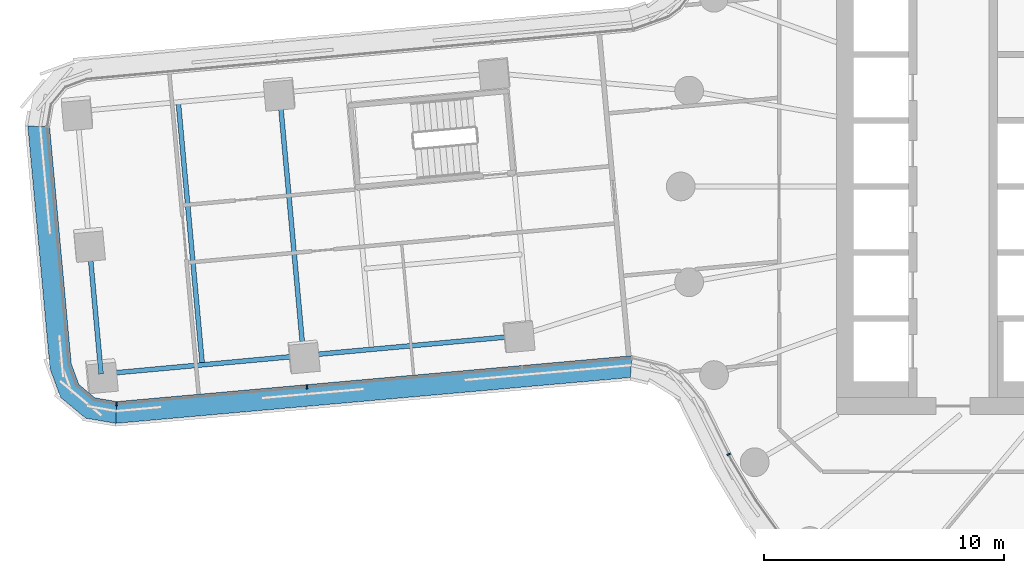
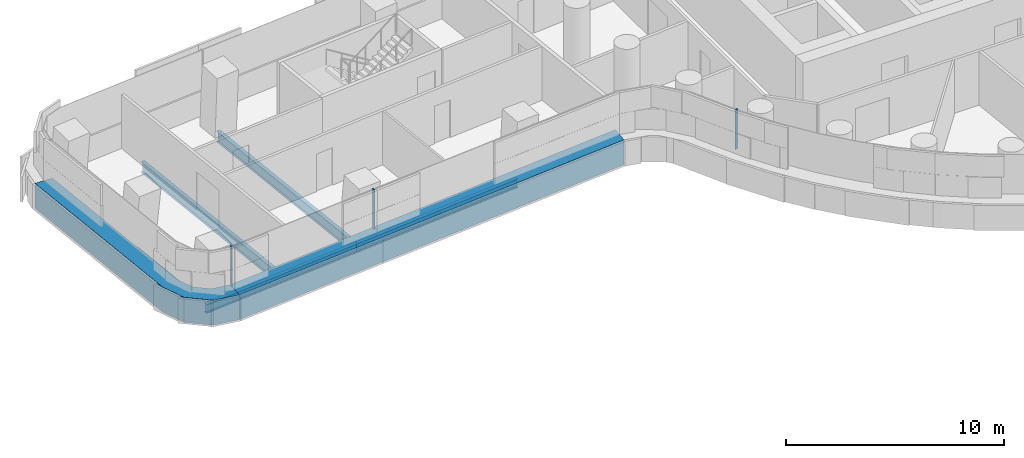
# One storey, part 4 of 31: 5 beams, 5 members, 3 elements without a shape of their own.
"""IFC4 building model written with IfcOpenShell, lengths in metres."""

from ifc_helpers import new_model, si_unit, direction, frame, origin, origin_2d, place, context, subcontext, project, spatial, polyline, rectangle, i_section, outline, extrude, material, layer, layer_set, material_profile, profile_set, type_object, element, aggregate, save


model = new_model("IFC4")

# Units and contexts
model_context = context("Model", 3, precision=1e-05, world=origin(), true_north=direction((0.0, 1.0)))
body_context = subcontext(model_context, "Body", "Model", "MODEL_VIEW")
ifc_project = project(units=[si_unit("LENGTHUNIT", "METRE"), si_unit("AREAUNIT", "SQUARE_METRE"), si_unit("VOLUMEUNIT", "CUBIC_METRE"), si_unit("PLANEANGLEUNIT", "RADIAN"), si_unit("MASSUNIT", "GRAM", prefix="KILO")], contexts=[model_context])

# Site, building, storey
site_placement = place(None, origin())
site = spatial("IfcSite", under=ifc_project, at=site_placement, CompositionType="ELEMENT")
building_placement = place(site_placement, origin())
building = spatial("IfcBuilding", under=site, at=building_placement, Name="Tamarind Cross Interchange Tower", CompositionType="ELEMENT")
storey_placement = place(building_placement, frame((0.0, 0.0, 52.75)))
storey = spatial("IfcBuildingStorey", under=building, at=storey_placement, Name="L11", CompositionType="ELEMENT", Elevation=52.75)

# Beams
ifc_material_1 = material(Name="Steel Q355B", Category="steel")
ifc_material_profile_1 = material_profile(ifc_material_1, i_section(OverallWidth=0.198974609375, OverallDepth=0.49609375, WebThickness=0.009033203125, FlangeThickness=0.013916015625, FilletRadius=0.012939453125, at=origin_2d()), Name="HN 496x199x9x14")
ifc_profile_set_1 = profile_set([ifc_material_profile_1], Name="Steel Q355B")
beam_type_1 = type_object("IfcBeamType", Name="Composite beam HN 496x199x9x14 Q355B", PredefinedType="BEAM", material=ifc_profile_set_1)
beam_1_placement = place(storey_placement, frame((-47.166259765625, -7.823974609375, -0.387939453125), z_axis=(0.995844653941, 0.091068244839, 0.0), x_axis=(-0.091068244839, 0.995844653941, 0.0)))
element("IfcBeam", 1, at=beam_1_placement, inside=storey, type_object=beam_type_1, Name="Beam W-edgeep2", PredefinedType="BEAM", context=body_context, shape_type="SweptSolid", body=[
    extrude(i_section(OverallWidth=0.198974609375, OverallDepth=0.49609375, WebThickness=0.009033203125, FlangeThickness=0.013916015625, FilletRadius=0.012939453125, at=origin_2d()), origin(), (0.0, 0.0, 1.0), 8.47412109375),
])
beam_2_placement = place(storey_placement, frame((-38.727294921875, -7.05224609375, -0.387939453125), z_axis=(0.995847498535, 0.091037133423, 0.0), x_axis=(-0.091037133423, 0.995847498535, 0.0)))
element("IfcBeam", 2, at=beam_2_placement, inside=storey, type_object=beam_type_1, Name="Beam W-edgeep3", PredefinedType="BEAM", context=body_context, shape_type="SweptSolid", body=[
    extrude(i_section(OverallWidth=0.198974609375, OverallDepth=0.49609375, WebThickness=0.009033203125, FlangeThickness=0.013916015625, FilletRadius=0.012939453125, at=origin_2d()), origin(), (0.0, 0.0, 1.0), 9.0),
])
ifc_material_profile_2 = material_profile(ifc_material_1, i_section(OverallWidth=0.199951171875, OverallDepth=0.60009765625, WebThickness=0.010986328125, FlangeThickness=0.01708984375, FilletRadius=0.012939453125, at=origin_2d()), Name="HN 600x200x11x17")
ifc_profile_set_2 = profile_set([ifc_material_profile_2], Name="Steel Q355B")
beam_type_2 = type_object("IfcBeamType", Name="Composite beam HN 600x200x11x17 Q355B", PredefinedType="BEAM", material=ifc_profile_set_2)
beam_3_placement = place(storey_placement, frame((-47.6669921875, -2.3466796875, -0.43994140625), z_axis=(0.091040012466, -0.995847235338, 0.0), x_axis=(0.995847235338, 0.091040012466, 0.0)))
element("IfcBeam", 3, at=beam_3_placement, inside=storey, type_object=beam_type_2, Name="Beam W-tip1", PredefinedType="BEAM", context=body_context, shape_type="SweptSolid", body=[
    extrude(i_section(OverallWidth=0.199951171875, OverallDepth=0.60009765625, WebThickness=0.010986328125, FlangeThickness=0.01708984375, FilletRadius=0.012939453125, at=origin_2d()), origin(), (0.0, 0.0, 1.0), 5.500244140625),
])
beam_4_placement = place(storey_placement, frame((-39.72900390625, 3.902099609375, -0.43994140625), z_axis=(0.091064035182, -0.995845038897, 0.0), x_axis=(0.995845038897, 0.091064035182, 0.0)))
element("IfcBeam", 4, at=beam_4_placement, inside=storey, type_object=beam_type_2, Name="Beam W-x393", PredefinedType="BEAM", context=body_context, shape_type="SweptSolid", body=[
    extrude(i_section(OverallWidth=0.199951171875, OverallDepth=0.60009765625, WebThickness=0.010986328125, FlangeThickness=0.01708984375, FilletRadius=0.012939453125, at=origin_2d()), origin(), (0.0, 0.0, 1.0), 11.0),
])
beam_5_placement = place(storey_placement, frame((-43.948486328125, 3.51611328125, -0.43994140625), z_axis=(0.09106604795, -0.99584485484, 0.0), x_axis=(0.99584485484, 0.09106604795, 0.0)))
element("IfcBeam", 5, at=beam_5_placement, inside=storey, type_object=beam_type_2, Name="Beam W-x435", PredefinedType="BEAM", context=body_context, shape_type="SweptSolid", body=[
    extrude(i_section(OverallWidth=0.199951171875, OverallDepth=0.60009765625, WebThickness=0.010986328125, FlangeThickness=0.01708984375, FilletRadius=0.012939453125, at=origin_2d()), origin(), (0.0, 0.0, 1.0), 10.999755859375),
])

# Curtain wall, member
ifc_material_2 = material(Name="Aluminium 6063-T6", Category="aluminium")
ifc_layer = layer(ifc_material_2, 0.159912109375)
ifc_layer_set = layer_set([ifc_layer], Name="Aluminium 6063-T6")
curtain_wall_type = type_object("IfcCurtainWallType", Name="Office curtain wall, 9.0 m bays", PredefinedType="NOTDEFINED", material=ifc_layer_set)
curtain_wall_1_placement = place(storey_placement, origin())
curtain_wall_1 = element("IfcCurtainWall", 6, at=curtain_wall_1_placement, inside=storey, type_object=curtain_wall_type, Name="CWS-L11-04", PredefinedType="NOTDEFINED")
ifc_material_3 = material(Name="Aluminium and insulated spandrel panel", Category="aluminium")
member_type_1 = type_object("IfcMemberType", Name="Floor-edge blade transom", PredefinedType="USERDEFINED", material=ifc_material_3)
member_1_placement = place(storey_placement, origin())
member_1 = element("IfcMember", 7, at=member_1_placement, type_object=member_type_1, Name="CWT-L11-04", ObjectType="TRANSOM", PredefinedType="USERDEFINED", context=body_context, shape_type="SweptSolid", body=[
    extrude(outline(polyline([(-49.313720703125, 2.48388671875), (-48.410400390625, -7.39599609375), (-48.093994140625, -8.2548828125), (-47.421875, -8.814453125), (-46.51953125, -8.9697265625), (-46.556640625, -9.876708984375), (-47.812255859375, -9.660400390625), (-48.855224609375, -8.792236328125), (-49.2958984375, -7.595947265625), (-50.220703125, 2.52001953125), (-49.313720703125, 2.48388671875)])), origin(), (0.0, 0.0, 1.0), 1.39990234375),
])
aggregate(curtain_wall_1, [member_1])

# Curtain wall, members
curtain_wall_2_placement = place(storey_placement, origin())
curtain_wall_2 = element("IfcCurtainWall", 8, at=curtain_wall_2_placement, inside=storey, type_object=curtain_wall_type, Name="CWS-L11-05", PredefinedType="NOTDEFINED")
member_2_placement = place(storey_placement, origin())
member_2 = element("IfcMember", 9, at=member_2_placement, type_object=member_type_1, Name="CWT-L11-05", ObjectType="TRANSOM", PredefinedType="USERDEFINED", context=body_context, shape_type="SweptSolid", body=[
    extrude(outline(polyline([(-46.51953125, -8.9697265625), (-25.03173828125, -7.056640625), (-25.0966796875, -7.966064453125), (-46.556640625, -9.876708984375), (-46.51953125, -8.9697265625)])), origin(), (0.0, 0.0, 1.0), 1.39990234375),
])
ifc_material_profile_3 = material_profile(ifc_material_2, rectangle(XDim=0.06005859375, YDim=0.159912109375, at=origin_2d()), Name="Mullion CW1")
ifc_profile_set_3 = profile_set([ifc_material_profile_3], Name="Aluminium 6063-T6")
member_type_2 = type_object("IfcMemberType", Name="Mullion CW1", PredefinedType="MULLION", material=ifc_profile_set_3)
member_3_placement = place(storey_placement, frame((-46.523681640625, -9.070556640625, 1.39990234375), z_axis=(0.0, 0.0, 1.0), x_axis=(0.999163253897, -0.040899780717, 0.0)))
member_3 = element("IfcMember", 10, at=member_3_placement, type_object=member_type_2, Name="CWM-L11-05-00", PredefinedType="MULLION", context=body_context, shape_type="SweptSolid", body=[
    extrude(rectangle(XDim=0.06005859375, YDim=0.159912109375, at=origin_2d()), origin(), (0.0, 0.0, 1.0), 2.210205078125),
])
member_4_placement = place(storey_placement, frame((-38.57861328125, -8.36328125, 1.39990234375), z_axis=(0.0, 0.0, 1.0), x_axis=(0.996059781171, 0.088684340968, 0.0)))
member_4 = element("IfcMember", 11, at=member_4_placement, type_object=member_type_2, Name="CWM-L11-05-01", PredefinedType="MULLION", context=body_context, shape_type="SweptSolid", body=[
    extrude(rectangle(XDim=0.06005859375, YDim=0.159912109375, at=origin_2d()), origin(), (0.0, 0.0, 1.0), 2.210205078125),
])
aggregate(curtain_wall_2, [member_3, member_4, member_2])

# Curtain wall, member
curtain_wall_3_placement = place(storey_placement, origin())
curtain_wall_3 = element("IfcCurtainWall", 12, at=curtain_wall_3_placement, inside=storey, type_object=curtain_wall_type, Name="CWS-L11-06", PredefinedType="NOTDEFINED")
member_5_placement = place(storey_placement, frame((-21.001953125, -11.166259765625, 1.39990234375), z_axis=(0.0, 0.0, 1.0), x_axis=(0.443058811505, -0.896492548518, 0.0)))
member_5 = element("IfcMember", 13, at=member_5_placement, type_object=member_type_2, Name="CWM-L11-06-01", PredefinedType="MULLION", context=body_context, shape_type="SweptSolid", body=[
    extrude(rectangle(XDim=0.06005859375, YDim=0.159912109375, at=origin_2d()), origin(), (0.0, 0.0, 1.0), 2.210205078125),
])
aggregate(curtain_wall_3, [member_5])

save(model, "model.ifc")
